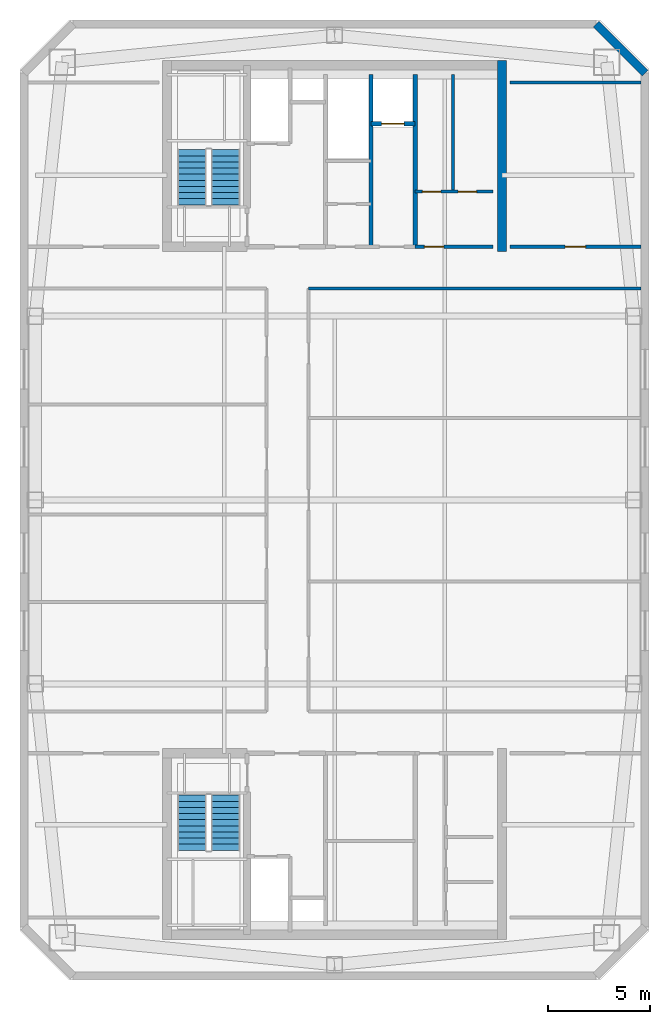
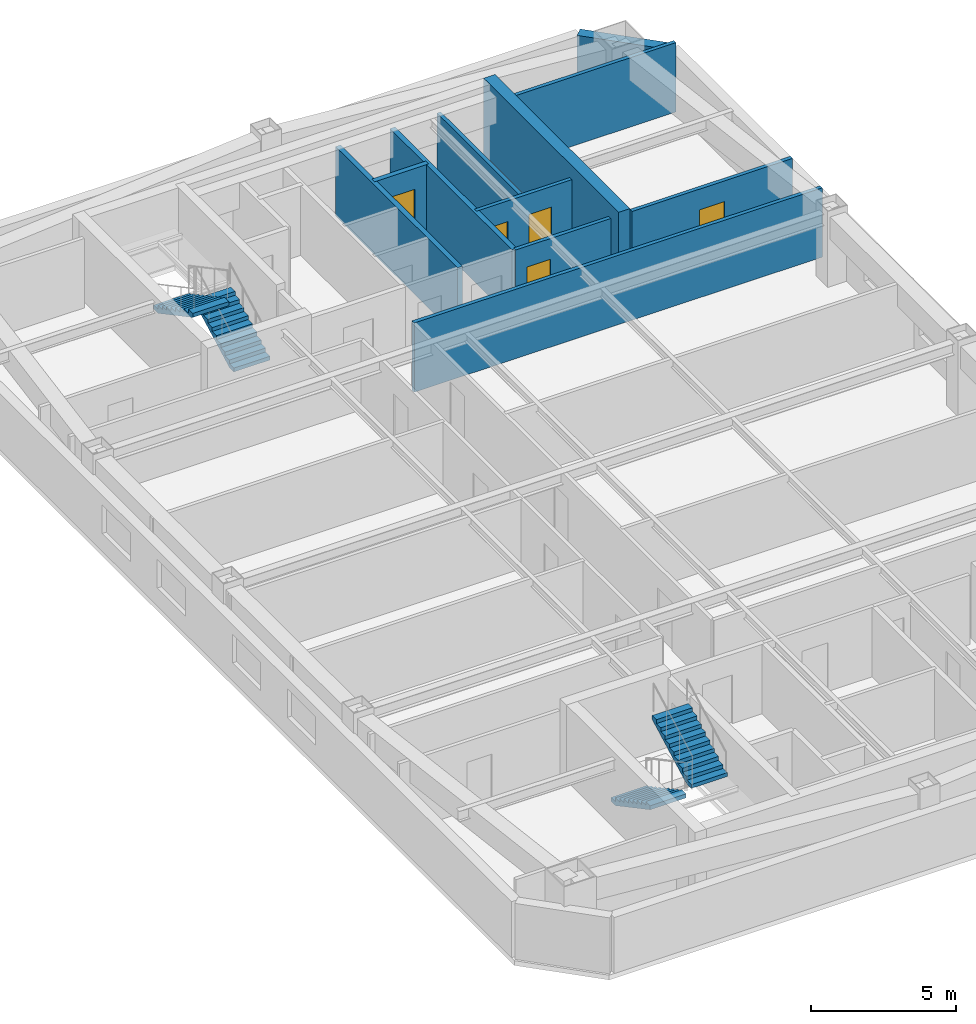
# One storey, part 4 of 5: 11 walls, 5 doors, 4 stair flights, 5 openings, 2 elements without a shape of their own.
"""IFC4 building model written with IfcOpenShell, lengths in metres."""

from ifc_helpers import new_model, si_unit, direction, frame, frame_2d, origin, place, context, subcontext, project, spatial, polyline, rectangle, outline, extrude, material, layer, layer_set, type_object, element, fill, aggregate, save


model = new_model("IFC4")

# Units and contexts
model_context = context("Model", 3, precision=1e-05, world=origin(), true_north=direction((0.0, 1.0)))
body_context = subcontext(model_context, "Body", "Model", "MODEL_VIEW")
ifc_project = project(units=[si_unit("LENGTHUNIT", "METRE"), si_unit("AREAUNIT", "SQUARE_METRE"), si_unit("VOLUMEUNIT", "CUBIC_METRE"), si_unit("PLANEANGLEUNIT", "RADIAN"), si_unit("MASSUNIT", "GRAM", prefix="KILO")], contexts=[model_context])

# Site, building, storey
site_placement = place(None, origin())
site = spatial("IfcSite", under=ifc_project, at=site_placement, CompositionType="ELEMENT")
building_placement = place(site_placement, origin())
building = spatial("IfcBuilding", under=site, at=building_placement, Name="Qiaolan Cultural Towers", CompositionType="ELEMENT")
storey_placement = place(building_placement, frame((0.0, 0.0, 272.800048828125)))
storey = spatial("IfcBuildingStorey", under=building, at=storey_placement, Name="L75", CompositionType="ELEMENT", Elevation=272.800048828125)

# Walls
ifc_material_1 = material(Name="Concrete C50", Category="concrete")
ifc_layer_1 = layer(ifc_material_1, 0.449951171875)
ifc_layer_set_1 = layer_set([ifc_layer_1], Name="Concrete C50")
wall_type_1 = type_object("IfcWallType", Name="WL-CORE-450", PredefinedType="SHEAR", material=ifc_layer_set_1)
wall_1_placement = place(storey_placement, frame((38.199951171875, 46.175048828125, 0.0), z_axis=(0.0, 0.0, 1.0), x_axis=(0.0, 1.0, 0.0)))
element("IfcWall", 1, at=wall_1_placement, inside=storey, type_object=wall_type_1, Name="L75 T1-CN East Core Shear Wall", PredefinedType="SHEAR", context=body_context, shape_type="SweptSolid", body=[
    extrude(rectangle(XDim=9.329833984375, YDim=0.449951171875, at=frame_2d((4.6650390625, 0.0))), origin(), (0.0, 0.0, 1.0), 3.199951171875),
])
ifc_material_2 = material(Name="Precast Concrete C50 Honed Stone Pier", Category="masonry")
ifc_layer_2 = layer(ifc_material_2, 0.39990234375)
ifc_layer_set_2 = layer_set([ifc_layer_2], Name="Precast Concrete C50 Honed Stone Pier")
wall_type_2 = type_object("IfcWallType", Name="WL-EXT-PIER-400", PredefinedType="SOLIDWALL", material=ifc_layer_set_2)
wall_2_placement = place(storey_placement, frame((42.800048828125, 57.300048828125, 0.0), z_axis=(0.0, 0.0, 1.0), x_axis=(0.707070815327, -0.707142745217, 0.0)))
element("IfcWall", 2, at=wall_2_placement, inside=storey, type_object=wall_type_2, Name="L75 West Tower Precast Pier Facade Wall F4", PredefinedType="SOLIDWALL", context=body_context, shape_type="SweptSolid", body=[
    extrude(rectangle(XDim=3.39404296875, YDim=0.39990234375, at=frame_2d((1.697021484375, 0.0))), origin(), (0.0, 0.0, 1.0), 2.35986328125),
])
ifc_material_3 = material(Name="Concrete C35 Fire Wall", Category="concrete")
ifc_layer_3 = layer(ifc_material_3, 0.199951171875)
ifc_layer_set_3 = layer_set([ifc_layer_3], Name="Concrete C35 Fire Wall")
wall_type_3 = type_object("IfcWallType", Name="WL-FIRE-200", PredefinedType="PARTITIONING", material=ifc_layer_set_3)
for number, where, z_axis, x_axis, name in (
    (3, (33.949951171875, 46.39990234375, 0.0), (0.0, 0.0, 1.0), (0.0, 1.0, 0.0), "L75 T1-CN Lift Core East Wall"),
    (4, (31.780029296875, 46.39990234375, 0.0), (0.0, 0.0, 1.0), (0.0, 1.0, 0.0), "L75 T1-CN Sky Shuttle Lift Zone Wall"),
):
    element("IfcWall", number, at=place(storey_placement, frame(where, z_axis=z_axis, x_axis=x_axis)), inside=storey, type_object=wall_type_3, Name=name, PredefinedType="PARTITIONING", context=body_context, shape_type="SweptSolid", body=[
        extrude(rectangle(XDim=8.43017578125, YDim=0.199951171875, at=frame_2d((4.215087890625, 0.0))), origin(), (0.0, 0.0, 1.0), 2.925048828125),
    ])

# Wall, opening, door
wall_3_placement = place(storey_placement, frame((31.780029296875, 52.419921875, 0.0), z_axis=(0.0, 0.0, 1.0), x_axis=(1.0, 0.0, 0.0)))
wall_3 = element("IfcWall", 5, at=wall_3_placement, inside=storey, type_object=wall_type_3, Name="L75 T1-CN Shuttle Lift Shaft Front", PredefinedType="PARTITIONING", context=body_context, shape_type="SweptSolid", body=[
    extrude(rectangle(XDim=2.169921875, YDim=0.199951171875, at=frame_2d((1.0849609375, 0.0))), origin(), (0.0, 0.0, 1.0), 2.925048828125),
])
opening_1_placement = place(wall_3_placement, frame((0.52001953125, 0.0, 0.0)))
opening_1 = element("IfcOpeningElement", 6, at=opening_1_placement, cuts=wall_3, Name="Opening LD-01", PredefinedType="OPENING", context=body_context, shape_type="SweptSolid", body=[
    extrude(rectangle(XDim=1.10009765625, YDim=2.050048828125, at=frame_2d((0.550048828125, 1.02490234375))), frame((0.0, 0.10986328125, 0.0), z_axis=(0.0, -1.0, 0.0), x_axis=(1.0, 0.0, 0.0)), (0.0, 0.0, 1.0), 0.219970703125),
])
ifc_material_4 = material(Name="Brushed Stainless Steel S30408 Centre-Parting Lift Landing Door", Category="steel")
door_type_1 = type_object("IfcDoorType", Name="DR-LIFT-1100", OperationType="NOTDEFINED", PredefinedType="DOOR", material=ifc_material_4)
door_1_placement = place(opening_1_placement, origin())
door_1 = element("IfcDoor", 7, at=door_1_placement, inside=storey, type_object=door_type_1, Name="L75 Sky Shuttle Lift Landing Door", OperationType="DOUBLE_DOOR_SLIDING", OverallHeight=2.050048828125, OverallWidth=1.10009765625, PredefinedType="DOOR", context=body_context, shape_type="SweptSolid", body=[
    extrude(rectangle(XDim=1.10009765625, YDim=2.050048828125, at=frame_2d((0.550048828125, 1.02490234375))), frame((0.0, 0.02490234375, 0.0), z_axis=(0.0, -1.0, 0.0), x_axis=(1.0, 0.0, 0.0)), (0.0, 0.0, 1.0), 0.050048828125),
])
fill(opening_1, door_1)

ifc_material_5 = material(Name="Autoclaved Aerated Concrete Block B06", Category="concrete")
ifc_layer_4 = layer(ifc_material_5, 0.14990234375)
ifc_layer_set_4 = layer_set([ifc_layer_4], Name="Autoclaved Aerated Concrete Block B06")
wall_type_4 = type_object("IfcWallType", Name="WL-PART-150", PredefinedType="PARTITIONING", material=ifc_layer_set_4)
wall_4_placement = place(storey_placement, frame((33.949951171875, 46.39990234375, 0.0), z_axis=(0.0, 0.0, 1.0), x_axis=(1.0, 0.0, 0.0)))
wall_4 = element("IfcWall", 8, at=wall_4_placement, inside=storey, type_object=wall_type_4, Name="L75 T1-CN Sanitary Core Front Wall", PredefinedType="PARTITIONING", context=body_context, shape_type="SweptSolid", body=[
    extrude(rectangle(XDim=3.800048828125, YDim=0.14990234375, at=frame_2d((1.89990234375, 0.0))), origin(), (0.0, 0.0, 1.0), 2.925048828125),
])
opening_2_placement = place(wall_4_placement, frame((0.449951171875, 0.0, 0.0)))
opening_2 = element("IfcOpeningElement", 9, at=opening_2_placement, cuts=wall_4, Name="Opening ID-05", PredefinedType="OPENING", context=body_context, shape_type="SweptSolid", body=[
    extrude(rectangle(XDim=0.949951171875, YDim=2.050048828125, at=frame_2d((0.47509765625, 1.02490234375))), frame((0.0, 0.0849609375, 0.0), z_axis=(0.0, -1.0, 0.0), x_axis=(1.0, 0.0, 0.0)), (0.0, 0.0, 1.0), 0.169921875),
])
ifc_material_6 = material(Name="Fire-Rated Laminate Accessible Core Door", Category="timber")
door_type_2 = type_object("IfcDoorType", Name="DR-INT-950", OperationType="NOTDEFINED", PredefinedType="DOOR", material=ifc_material_6)
door_2_placement = place(opening_2_placement, origin())
door_2 = element("IfcDoor", 10, at=door_2_placement, inside=storey, type_object=door_type_2, Name="L75 Sanitary Vestibule Door", OperationType="SINGLE_SWING_LEFT", OverallHeight=2.050048828125, OverallWidth=0.949951171875, PredefinedType="DOOR", context=body_context, shape_type="SweptSolid", body=[
    extrude(rectangle(XDim=0.949951171875, YDim=2.050048828125, at=frame_2d((0.47509765625, 1.02490234375))), frame((0.0, 0.02490234375, 0.0), z_axis=(0.0, -1.0, 0.0), x_axis=(1.0, 0.0, 0.0)), (0.0, 0.0, 1.0), 0.050048828125),
])
fill(opening_2, door_2)

# Wall, openings, doors
wall_5_placement = place(storey_placement, frame((33.949951171875, 49.10009765625, 0.0), z_axis=(0.0, 0.0, 1.0), x_axis=(1.0, 0.0, 0.0)))
wall_5 = element("IfcWall", 11, at=wall_5_placement, inside=storey, type_object=wall_type_4, Name="L75 T1-CN Restroom Vestibule Wall", PredefinedType="PARTITIONING", context=body_context, shape_type="SweptSolid", body=[
    extrude(rectangle(XDim=3.800048828125, YDim=0.14990234375, at=frame_2d((1.89990234375, 0.0))), origin(), (0.0, 0.0, 1.0), 2.925048828125),
])
opening_3_placement = place(wall_5_placement, frame((0.35009765625, 0.0, 0.0)))
opening_3 = element("IfcOpeningElement", 12, at=opening_3_placement, cuts=wall_5, Name="Opening ID-06", PredefinedType="OPENING", context=body_context, shape_type="SweptSolid", body=[
    extrude(rectangle(XDim=0.89990234375, YDim=2.050048828125, at=frame_2d((0.449951171875, 1.02490234375))), frame((0.0, 0.0849609375, 0.0), z_axis=(0.0, -1.0, 0.0), x_axis=(1.0, 0.0, 0.0)), (0.0, 0.0, 1.0), 0.169921875),
])
opening_4_placement = place(wall_5_placement, frame((2.10009765625, 0.0, 0.0)))
opening_4 = element("IfcOpeningElement", 13, at=opening_4_placement, cuts=wall_5, Name="Opening ID-06", PredefinedType="OPENING", context=body_context, shape_type="SweptSolid", body=[
    extrude(rectangle(XDim=0.89990234375, YDim=2.050048828125, at=frame_2d((0.449951171875, 1.02490234375))), frame((0.0, 0.0849609375, 0.0), z_axis=(0.0, -1.0, 0.0), x_axis=(1.0, 0.0, 0.0)), (0.0, 0.0, 1.0), 0.169921875),
])
ifc_material_7 = material(Name="Fire-Rated Laminate Core Service Door", Category="timber")
door_type_3 = type_object("IfcDoorType", Name="DR-INT-900", OperationType="NOTDEFINED", PredefinedType="DOOR", material=ifc_material_7)
door_3_placement = place(opening_3_placement, origin())
door_3 = element("IfcDoor", 14, at=door_3_placement, inside=storey, type_object=door_type_3, Name="L75 Men Restroom Door", OperationType="SINGLE_SWING_LEFT", OverallHeight=2.050048828125, OverallWidth=0.89990234375, PredefinedType="DOOR", context=body_context, shape_type="SweptSolid", body=[
    extrude(rectangle(XDim=0.89990234375, YDim=2.050048828125, at=frame_2d((0.449951171875, 1.02490234375))), frame((0.0, 0.02490234375, 0.0), z_axis=(0.0, -1.0, 0.0), x_axis=(1.0, 0.0, 0.0)), (0.0, 0.0, 1.0), 0.050048828125),
])
fill(opening_3, door_3)
door_4_placement = place(opening_4_placement, origin())
door_4 = element("IfcDoor", 15, at=door_4_placement, inside=storey, type_object=door_type_3, Name="L75 Accessible & Women Restroom Door", OperationType="SINGLE_SWING_RIGHT", OverallHeight=2.050048828125, OverallWidth=0.89990234375, PredefinedType="DOOR", context=body_context, shape_type="SweptSolid", body=[
    extrude(rectangle(XDim=0.89990234375, YDim=2.050048828125, at=frame_2d((0.449951171875, 1.02490234375))), frame((0.0, 0.02490234375, 0.0), z_axis=(0.0, -1.0, 0.0), x_axis=(1.0, 0.0, 0.0)), (0.0, 0.0, 1.0), 0.050048828125),
])
fill(opening_4, door_4)

# Walls
wall_6_placement = place(storey_placement, frame((35.800048828125, 49.10009765625, 0.0), z_axis=(0.0, 0.0, 1.0), x_axis=(0.0, 1.0, 0.0)))
element("IfcWall", 16, at=wall_6_placement, inside=storey, type_object=wall_type_4, Name="L75 T1-CN Restroom Divider Wall", PredefinedType="PARTITIONING", context=body_context, shape_type="SweptSolid", body=[
    extrude(rectangle(XDim=5.72998046875, YDim=0.14990234375, at=frame_2d((2.864990234375, 0.0))), origin(), (0.0, 0.0, 1.0), 2.925048828125),
])
wall_7_placement = place(storey_placement, frame((38.60009765625, 54.449951171875, 0.0), z_axis=(0.0, 0.0, 1.0), x_axis=(1.0, 0.0, 0.0)))
element("IfcWall", 17, at=wall_7_placement, inside=storey, type_object=wall_type_4, Name="L75 T1 Flank Wall FLK-NE", PredefinedType="PARTITIONING", context=body_context, shape_type="SweptSolid", body=[
    extrude(rectangle(XDim=6.39990234375, YDim=0.14990234375, at=frame_2d((3.199951171875, 0.0))), origin(), (0.0, 0.0, 1.0), 2.925048828125),
])

# Wall, opening, door
wall_8_placement = place(storey_placement, frame((38.60009765625, 46.39990234375, 0.0), z_axis=(0.0, 0.0, 1.0), x_axis=(1.0, 0.0, 0.0)))
wall_8 = element("IfcWall", 18, at=wall_8_placement, inside=storey, type_object=wall_type_4, Name="L75 T1 Flank Front FLK-NE", PredefinedType="PARTITIONING", context=body_context, shape_type="SweptSolid", body=[
    extrude(rectangle(XDim=6.39990234375, YDim=0.14990234375, at=frame_2d((3.199951171875, 0.0))), origin(), (0.0, 0.0, 1.0), 2.925048828125),
])
opening_5_placement = place(wall_8_placement, frame((2.68798828125, 0.0, 0.0)))
opening_5 = element("IfcOpeningElement", 19, at=opening_5_placement, cuts=wall_8, Name="Opening ID-04", PredefinedType="OPENING", context=body_context, shape_type="SweptSolid", body=[
    extrude(rectangle(XDim=1.0, YDim=2.050048828125, at=frame_2d((0.5, 1.02490234375))), frame((0.0, 0.0849609375, 0.0), z_axis=(0.0, -1.0, 0.0), x_axis=(1.0, 0.0, 0.0)), (0.0, 0.0, 1.0), 0.169921875),
])
ifc_material_8 = material(Name="Oak Veneer Acoustic Office Door", Category="timber")
door_type_4 = type_object("IfcDoorType", Name="DR-INT-1000", OperationType="NOTDEFINED", PredefinedType="DOOR", material=ifc_material_8)
door_5_placement = place(opening_5_placement, origin())
door_5 = element("IfcDoor", 20, at=door_5_placement, inside=storey, type_object=door_type_4, Name="L75 T1 Corner Studio Door", OperationType="SINGLE_SWING_LEFT", OverallHeight=2.050048828125, OverallWidth=1.0, PredefinedType="DOOR", context=body_context, shape_type="SweptSolid", body=[
    extrude(rectangle(XDim=1.0, YDim=2.050048828125, at=frame_2d((0.5, 1.02490234375))), frame((0.0, 0.02490234375, 0.0), z_axis=(0.0, -1.0, 0.0), x_axis=(1.0, 0.0, 0.0)), (0.0, 0.0, 1.0), 0.050048828125),
])
fill(opening_5, door_5)

# Wall
wall_9_placement = place(storey_placement, frame((28.72509765625, 44.35009765625, 0.0), z_axis=(0.0, 0.0, 1.0), x_axis=(1.0, 0.0, 0.0)))
element("IfcWall", 21, at=wall_9_placement, inside=storey, type_object=wall_type_4, Name="L75 T1 North Corridor Right Wall", PredefinedType="PARTITIONING", context=body_context, shape_type="SweptSolid", body=[
    extrude(rectangle(XDim=16.27490234375, YDim=0.14990234375, at=frame_2d((8.137451171875, 0.0))), origin(), (0.0, 0.0, 1.0), 2.925048828125),
])

# Stair, stair flights
ifc_material_9 = material(Name="Concrete C45", Category="concrete")
stair_type = type_object("IfcStairType", Name="STR-CORE-1500", PredefinedType="HALF_TURN_STAIR", material=ifc_material_9)
stair_1_placement = place(storey_placement, origin())
stair_1 = element("IfcStair", 22, at=stair_1_placement, inside=storey, type_object=stair_type, Name="L75 Smokeproof Exit Stair ST-W1", PredefinedType="HALF_TURN_STAIR")
ifc_material_10 = material(Name="Concrete C45", Category="concrete")
stair_flight_type = type_object("IfcStairFlightType", Name="STR-CORE-1500-FL", PredefinedType="STRAIGHT", material=ifc_material_10)
stair_flight_1_placement = place(storey_placement, frame((23.02001953125, 19.550048828125, 0.0), z_axis=(0.0, 0.0, 1.0), x_axis=(0.0, -1.0, 0.0)))
stair_flight_1 = element("IfcStairFlight", 23, at=stair_flight_1_placement, type_object=stair_flight_type, Name="ST-W1 flight 1", NumberOfRisers=10, NumberOfTreads=9, PredefinedType="STRAIGHT", RiserHeight=0.16, TreadLength=0.3, context=body_context, shape_type="SweptSolid", body=[
    extrude(outline(polyline([(0.0, 0.0), (0.0, 0.159912109375), (0.300048828125, 0.159912109375), (0.300048828125, 0.320068359375), (0.60009765625, 0.320068359375), (0.60009765625, 0.47998046875), (0.89990234375, 0.47998046875), (0.89990234375, 0.639892578125), (1.199951171875, 0.639892578125), (1.199951171875, 0.800048828125), (1.5, 0.800048828125), (1.5, 0.9599609375), (1.800048828125, 0.9599609375), (1.800048828125, 1.1201171875), (2.10009765625, 1.1201171875), (2.10009765625, 1.280029296875), (2.39990234375, 1.280029296875), (2.39990234375, 1.43994140625), (2.699951171875, 1.43994140625), (2.699951171875, 1.60009765625), (2.699951171875, 1.27001953125), (0.318603515625, 0.0), (0.0, 0.0)])), frame((0.0, 0.719970703125, 0.0), z_axis=(0.0, -1.0, 0.0), x_axis=(1.0, 0.0, 0.0)), (0.0, 0.0, 1.0), 1.43994140625),
])
stair_flight_2_placement = place(storey_placement, frame((24.659912109375, 16.85009765625, 1.599853515625), z_axis=(0.0, 0.0, 1.0), x_axis=(0.0, 1.0, 0.0)))
stair_flight_2 = element("IfcStairFlight", 24, at=stair_flight_2_placement, type_object=stair_flight_type, Name="ST-W1 flight 2", NumberOfRisers=10, NumberOfTreads=9, PredefinedType="STRAIGHT", RiserHeight=0.16, TreadLength=0.3, context=body_context, shape_type="SweptSolid", body=[
    extrude(outline(polyline([(0.0, 0.0), (0.0, 0.159912109375), (0.300048828125, 0.159912109375), (0.300048828125, 0.320068359375), (0.60009765625, 0.320068359375), (0.60009765625, 0.47998046875), (0.89990234375, 0.47998046875), (0.89990234375, 0.639892578125), (1.199951171875, 0.639892578125), (1.199951171875, 0.800048828125), (1.5, 0.800048828125), (1.5, 0.9599609375), (1.800048828125, 0.9599609375), (1.800048828125, 1.1201171875), (2.10009765625, 1.1201171875), (2.10009765625, 1.280029296875), (2.39990234375, 1.280029296875), (2.39990234375, 1.43994140625), (2.699951171875, 1.43994140625), (2.699951171875, 1.60009765625), (2.699951171875, 1.27001953125), (0.318603515625, 0.0), (0.0, 0.0)])), frame((0.0, 0.719970703125, 0.0), z_axis=(0.0, -1.0, 0.0), x_axis=(1.0, 0.0, 0.0)), (0.0, 0.0, 1.0), 1.43994140625),
])
aggregate(stair_1, [stair_flight_1, stair_flight_2])

stair_2_placement = place(storey_placement, origin())
stair_2 = element("IfcStair", 25, at=stair_2_placement, inside=storey, type_object=stair_type, Name="L75 Smokeproof Exit Stair ST-W2", PredefinedType="HALF_TURN_STAIR")
stair_flight_3_placement = place(storey_placement, frame((24.659912109375, 48.449951171875, 0.0), z_axis=(0.0, 0.0, 1.0), x_axis=(0.0, 1.0, 0.0)))
stair_flight_3 = element("IfcStairFlight", 26, at=stair_flight_3_placement, type_object=stair_flight_type, Name="ST-W2 flight 1", NumberOfRisers=10, NumberOfTreads=9, PredefinedType="STRAIGHT", RiserHeight=0.16, TreadLength=0.3, context=body_context, shape_type="SweptSolid", body=[
    extrude(outline(polyline([(0.0, 0.0), (0.0, 0.159912109375), (0.300048828125, 0.159912109375), (0.300048828125, 0.320068359375), (0.60009765625, 0.320068359375), (0.60009765625, 0.47998046875), (0.89990234375, 0.47998046875), (0.89990234375, 0.639892578125), (1.199951171875, 0.639892578125), (1.199951171875, 0.800048828125), (1.5, 0.800048828125), (1.5, 0.9599609375), (1.800048828125, 0.9599609375), (1.800048828125, 1.1201171875), (2.10009765625, 1.1201171875), (2.10009765625, 1.280029296875), (2.39990234375, 1.280029296875), (2.39990234375, 1.43994140625), (2.699951171875, 1.43994140625), (2.699951171875, 1.60009765625), (2.699951171875, 1.27001953125), (0.318603515625, 0.0), (0.0, 0.0)])), frame((0.0, 0.719970703125, 0.0), z_axis=(0.0, -1.0, 0.0), x_axis=(1.0, 0.0, 0.0)), (0.0, 0.0, 1.0), 1.43994140625),
])
stair_flight_4_placement = place(storey_placement, frame((23.02001953125, 51.14990234375, 1.599853515625), z_axis=(0.0, 0.0, 1.0), x_axis=(0.0, -1.0, 0.0)))
stair_flight_4 = element("IfcStairFlight", 27, at=stair_flight_4_placement, type_object=stair_flight_type, Name="ST-W2 flight 2", NumberOfRisers=10, NumberOfTreads=9, PredefinedType="STRAIGHT", RiserHeight=0.16, TreadLength=0.3, context=body_context, shape_type="SweptSolid", body=[
    extrude(outline(polyline([(0.0, 0.0), (0.0, 0.159912109375), (0.300048828125, 0.159912109375), (0.300048828125, 0.320068359375), (0.60009765625, 0.320068359375), (0.60009765625, 0.47998046875), (0.89990234375, 0.47998046875), (0.89990234375, 0.639892578125), (1.199951171875, 0.639892578125), (1.199951171875, 0.800048828125), (1.5, 0.800048828125), (1.5, 0.9599609375), (1.800048828125, 0.9599609375), (1.800048828125, 1.1201171875), (2.10009765625, 1.1201171875), (2.10009765625, 1.280029296875), (2.39990234375, 1.280029296875), (2.39990234375, 1.43994140625), (2.699951171875, 1.43994140625), (2.699951171875, 1.60009765625), (2.699951171875, 1.27001953125), (0.318603515625, 0.0), (0.0, 0.0)])), frame((0.0, 0.719970703125, 0.0), z_axis=(0.0, -1.0, 0.0), x_axis=(1.0, 0.0, 0.0)), (0.0, 0.0, 1.0), 1.43994140625),
])
aggregate(stair_2, [stair_flight_3, stair_flight_4])

save(model, "model.ifc")
